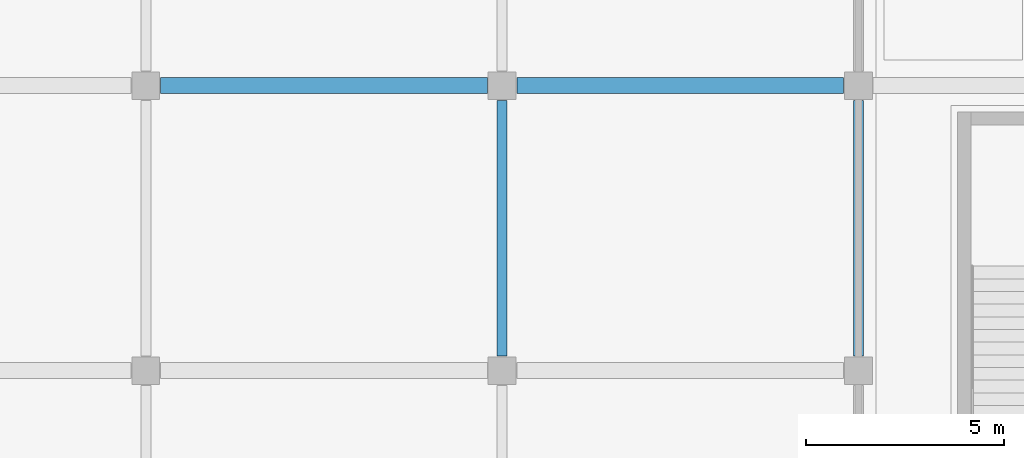
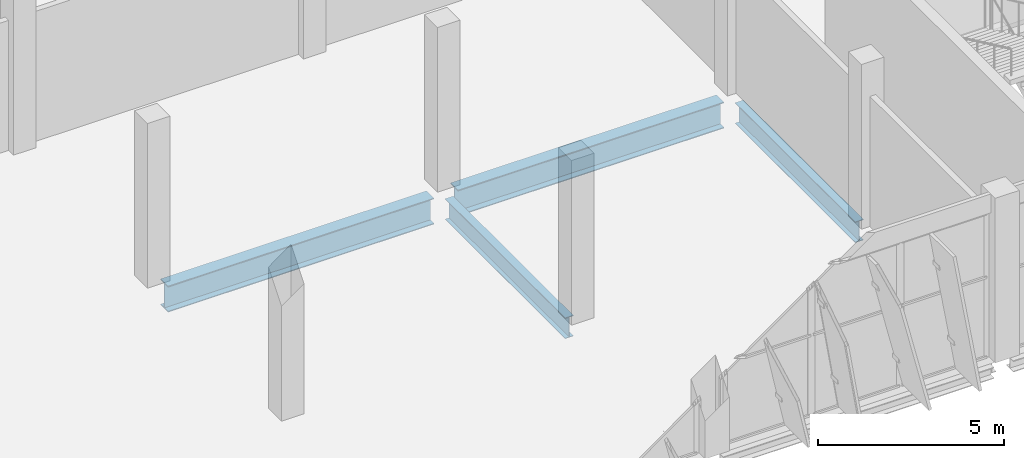
# One storey, part 62 of 189: 4 beams.
"""IFC4 building model written with IfcOpenShell, lengths in metres."""

from ifc_helpers import new_model, si_unit, direction, frame, origin, origin_2d, place, context, subcontext, project, spatial, i_section, extrude, material, material_profile, profile_set, type_object, element, save


model = new_model("IFC4")

# Units and contexts
model_context = context("Model", 3, precision=1e-05, world=origin(), true_north=direction((0.0, 1.0)))
body_context = subcontext(model_context, "Body", "Model", "MODEL_VIEW")
ifc_project = project(units=[si_unit("LENGTHUNIT", "METRE"), si_unit("AREAUNIT", "SQUARE_METRE"), si_unit("VOLUMEUNIT", "CUBIC_METRE"), si_unit("PLANEANGLEUNIT", "RADIAN"), si_unit("MASSUNIT", "GRAM", prefix="KILO")], contexts=[model_context])

# Site, building, storey
site_placement = place(None, origin())
site = spatial("IfcSite", under=ifc_project, at=site_placement, CompositionType="ELEMENT")
building_placement = place(site_placement, origin())
building = spatial("IfcBuilding", under=site, at=building_placement, Name="Celestram Park Convention Centre", CompositionType="ELEMENT")
storey_placement = place(building_placement, frame((0.0, 0.0, 5.39990234375)))
storey = spatial("IfcBuildingStorey", under=building, at=storey_placement, Name="L01", CompositionType="ELEMENT", Elevation=5.39990234375)

# Beams
ifc_material = material(Name="Steel ASTM A992 Grade 50", Category="steel")
ifc_material_profile_1 = material_profile(ifc_material, i_section(OverallWidth=0.25390625, OverallDepth=0.68310546875, WebThickness=0.012451171875, FlangeThickness=0.01904296875, at=origin_2d()), Name="W27X94")
ifc_profile_set_1 = profile_set([ifc_material_profile_1], Name="Steel ASTM A992 Grade 50")
beam_type_1 = type_object("IfcBeamType", Name="STR-BM-W27X94", PredefinedType="BEAM", material=ifc_profile_set_1)
for number, where, z_axis, x_axis, name in (
    (1, (198.0, 7.572998046875, -0.621337890625), (0.0, 1.0, 0.0), (-1.0, 0.0, 0.0), "Primary Y-girder BG-L01-0489"),
    (2, (207.0, 7.572998046875, -0.621337890625), (0.0, 1.0, 0.0), (-1.0, 0.0, 0.0), "Primary Y-girder BG-L01-0514"),
):
    element("IfcBeam", number, at=place(storey_placement, frame(where, z_axis=z_axis, x_axis=x_axis)), inside=storey, type_object=beam_type_1, Name=name, PredefinedType="BEAM", context=body_context, shape_type="SweptSolid", body=[
        extrude(i_section(OverallWidth=0.25390625, OverallDepth=0.68310546875, WebThickness=0.012451171875, FlangeThickness=0.01904296875, at=origin_2d()), origin(), (0.0, 0.0, 1.0), 6.4541015625),
    ])
ifc_material_profile_2 = material_profile(ifc_material, i_section(OverallWidth=0.40087890625, OverallDepth=0.85595703125, WebThickness=0.018310546875, FlangeThickness=0.029296875, at=origin_2d()), Name="W33X201")
ifc_profile_set_2 = profile_set([ifc_material_profile_2], Name="Steel ASTM A992 Grade 50")
beam_type_2 = type_object("IfcBeamType", Name="STR-BM-W33X201", PredefinedType="BEAM", material=ifc_profile_set_2)
for number, where, z_axis, x_axis, name in (
    (3, (189.373046875, 14.39990234375, -0.7080078125), (1.0, 0.0, 0.0), (0.0, 1.0, 0.0), "Primary X-girder BG-L01-0464"),
    (4, (198.373046875, 14.39990234375, -0.7080078125), (1.0, 0.0, 0.0), (0.0, 1.0, 0.0), "Primary X-girder BG-L01-0490"),
):
    element("IfcBeam", number, at=place(storey_placement, frame(where, z_axis=z_axis, x_axis=x_axis)), inside=storey, type_object=beam_type_2, Name=name, PredefinedType="BEAM", context=body_context, shape_type="SweptSolid", body=[
        extrude(i_section(OverallWidth=0.40087890625, OverallDepth=0.85595703125, WebThickness=0.018310546875, FlangeThickness=0.029296875, at=origin_2d()), origin(), (0.0, 0.0, 1.0), 8.25390625),
    ])

save(model, "model.ifc")
